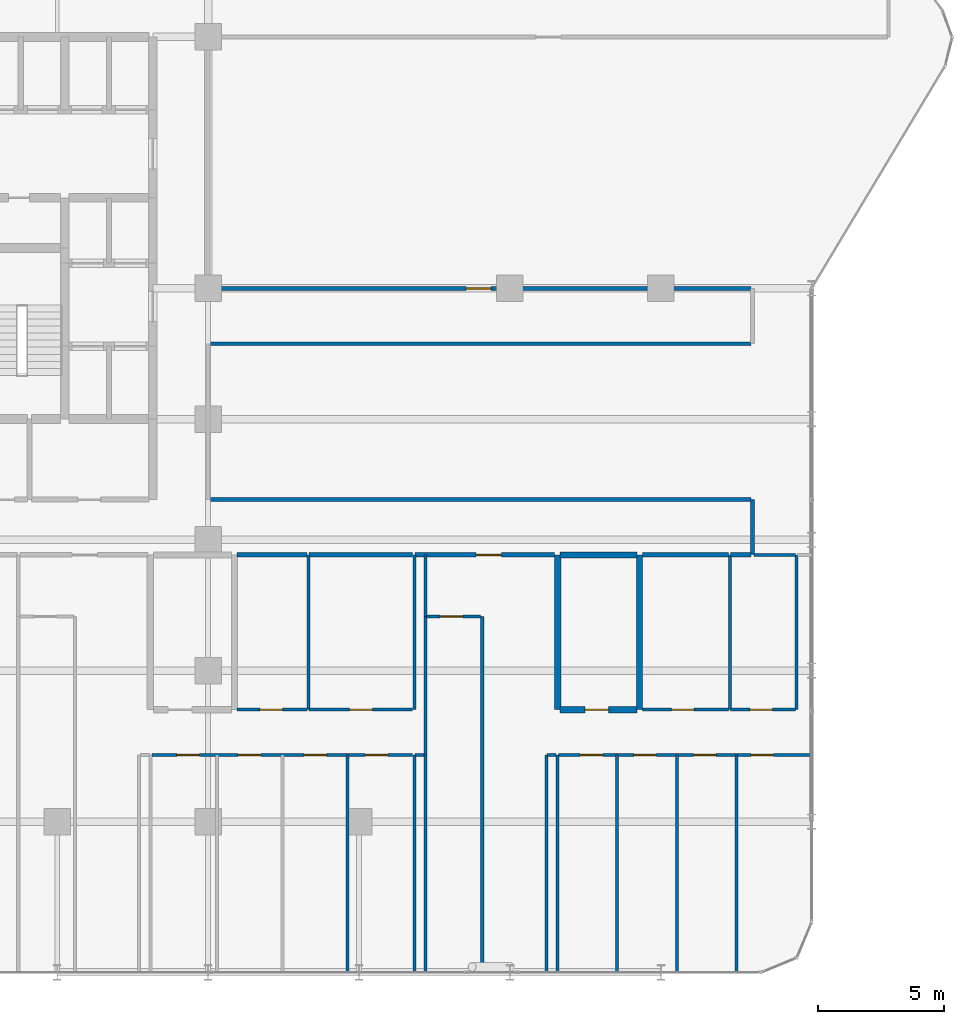
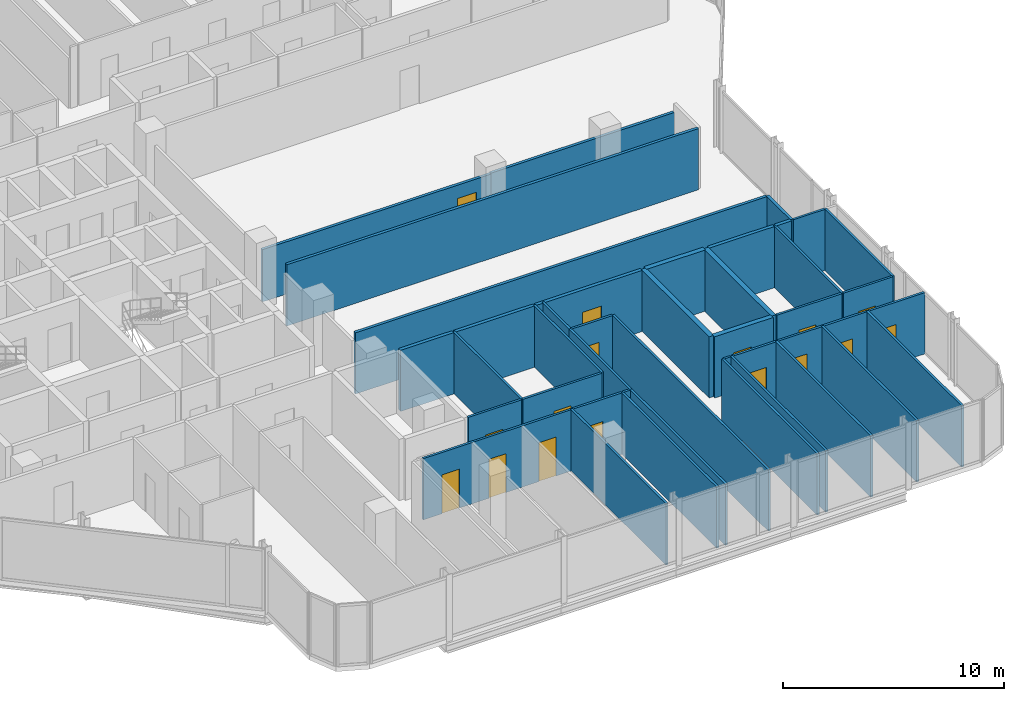
# One storey, part 25 of 29: 39 walls, 16 doors, 16 openings.
"""IFC4 building model written with IfcOpenShell, lengths in metres."""

from ifc_helpers import new_model, si_unit, direction, frame, frame_2d, origin, place, context, subcontext, project, spatial, rectangle, extrude, material, layer, layer_set, type_object, element, fill, save


model = new_model("IFC4")

# Units and contexts
model_context = context("Model", 3, precision=1e-05, world=origin(), true_north=direction((0.0, 1.0)))
body_context = subcontext(model_context, "Body", "Model", "MODEL_VIEW")
ifc_project = project(units=[si_unit("LENGTHUNIT", "METRE"), si_unit("AREAUNIT", "SQUARE_METRE"), si_unit("VOLUMEUNIT", "CUBIC_METRE"), si_unit("PLANEANGLEUNIT", "RADIAN"), si_unit("MASSUNIT", "GRAM", prefix="KILO")], contexts=[model_context])

# Site, building, storey
site_placement = place(None, origin())
site = spatial("IfcSite", under=ifc_project, at=site_placement, CompositionType="ELEMENT")
building_placement = place(site_placement, origin())
building = spatial("IfcBuilding", under=site, at=building_placement, Name="Keshet Zoharim Tower", CompositionType="ELEMENT")
storey_placement = place(building_placement, frame((0.0, 0.0, 98.300048828125)))
storey = spatial("IfcBuildingStorey", under=building, at=storey_placement, Name="L23", CompositionType="ELEMENT", Elevation=98.300048828125)

# Walls
ifc_material_1 = material(Name="Gypsum Plasterboard", Category="gypsum")
ifc_layer_1 = layer(ifc_material_1, 0.14990234375)
ifc_layer_set_1 = layer_set([ifc_layer_1], Name="Gypsum Plasterboard")
wall_type_1 = type_object("IfcWallType", Name="WL-CLIN-150", PredefinedType="STANDARD", material=ifc_layer_set_1)
wall_1_placement = place(storey_placement, frame((54.64990234375, 17.31005859375, 0.0), z_axis=(0.0, 0.0, 1.0), x_axis=(0.0, 1.0, 0.0)))
element("IfcWall", 1, at=wall_1_placement, inside=storey, type_object=wall_type_1, Name="L23 Interior Wall 108", PredefinedType="STANDARD", context=body_context, shape_type="SweptSolid", body=[
    extrude(rectangle(XDim=2.18994140625, YDim=0.14990234375, at=frame_2d((1.094970703125, 0.0))), origin(), (0.0, 0.0, 1.0), 3.385009765625),
])
for number, where, z_axis, x_axis, name in (
    (2, (33.070068359375, 19.5, 0.0), (0.0, 0.0, 1.0), (1.0, 0.0, 0.0), "L23 Interior Wall 146"),
    (3, (33.070068359375, 25.699951171875, 0.0), (0.0, 0.0, 1.0), (1.0, 0.0, 0.0), "L23 Interior Wall 160"),
):
    element("IfcWall", number, at=place(storey_placement, frame(where, z_axis=z_axis, x_axis=x_axis)), inside=storey, type_object=wall_type_1, Name=name, PredefinedType="STANDARD", context=body_context, shape_type="SweptSolid", body=[
        extrude(rectangle(XDim=21.510009765625, YDim=0.14990234375, at=frame_2d((10.7548828125, 0.0))), origin(), (0.0, 0.0, 1.0), 3.385009765625),
    ])

# Wall, opening, door
wall_2_placement = place(storey_placement, frame((33.070068359375, 27.89990234375, 0.0), z_axis=(0.0, 0.0, 1.0), x_axis=(1.0, 0.0, 0.0)))
wall_2 = element("IfcWall", 4, at=wall_2_placement, inside=storey, type_object=wall_type_1, Name="L23 Interior Wall 161", PredefinedType="STANDARD", context=body_context, shape_type="SweptSolid", body=[
    extrude(rectangle(XDim=11.929931640625, YDim=0.14990234375, at=frame_2d((5.96484375, 0.0))), origin(), (0.0, 0.0, 1.0), 2.885009765625),
])
opening_1_placement = place(wall_2_placement, frame((10.18505859375, 0.0, 0.0)))
opening_1 = element("IfcOpeningElement", 5, at=opening_1_placement, cuts=wall_2, Name="Opening D-F310", PredefinedType="OPENING", context=body_context, shape_type="SweptSolid", body=[
    extrude(rectangle(XDim=1.0, YDim=2.14990234375, at=frame_2d((0.5, 1.074951171875))), frame((0.0, 0.0849609375, 0.0), z_axis=(0.0, -1.0, 0.0), x_axis=(1.0, 0.0, 0.0)), (0.0, 0.0, 1.0), 0.169921875),
])
ifc_material_2 = material(Name="Hardwood Timber", Category="wood")
door_type_1 = type_object("IfcDoorType", Name="DR-FD30-100", OperationType="NOTDEFINED", PredefinedType="DOOR", material=ifc_material_2)
door_1_placement = place(opening_1_placement, origin())
door_1 = element("IfcDoor", 6, at=door_1_placement, inside=storey, type_object=door_type_1, Name="L23 North East Residents Services Suite Door 2", OperationType="SINGLE_SWING_RIGHT", OverallHeight=2.14990234375, OverallWidth=1.0, PredefinedType="DOOR", context=body_context, shape_type="SweptSolid", body=[
    extrude(rectangle(XDim=1.0, YDim=2.14990234375, at=frame_2d((0.5, 1.074951171875))), frame((0.0, 0.02490234375, 0.0), z_axis=(0.0, -1.0, 0.0), x_axis=(1.0, 0.0, 0.0)), (0.0, 0.0, 1.0), 0.050048828125),
])
fill(opening_1, door_1)

# Walls
wall_3_placement = place(storey_placement, frame((45.0, 27.89990234375, 0.0), z_axis=(0.0, 0.0, 1.0), x_axis=(1.0, 0.0, 0.0)))
element("IfcWall", 7, at=wall_3_placement, inside=storey, type_object=wall_type_1, Name="L23 Interior Wall 161 Part 2", PredefinedType="STANDARD", context=body_context, shape_type="SweptSolid", body=[
    extrude(rectangle(XDim=9.580078125, YDim=0.14990234375, at=frame_2d((4.7900390625, 0.0))), origin(), (0.0, 0.0, 1.0), 2.93505859375),
])
ifc_layer_2 = layer(ifc_material_1, 0.179931640625)
ifc_layer_set_2 = layer_set([ifc_layer_2], Name="Gypsum Plasterboard")
wall_type_2 = type_object("IfcWallType", Name="WL-CORR-180", PredefinedType="STANDARD", material=ifc_layer_set_2)
wall_4_placement = place(storey_placement, frame((34.156005859375, 17.300048828125, 0.0), z_axis=(0.0, 0.0, 1.0), x_axis=(1.0, 0.0, 0.0)))
element("IfcWall", 8, at=wall_4_placement, inside=storey, type_object=wall_type_2, Name="L23 Interior Wall 134", PredefinedType="STANDARD", context=body_context, shape_type="SweptSolid", body=[
    extrude(rectangle(XDim=2.77392578125, YDim=0.179931640625, at=frame_2d((1.386962890625, 0.0))), origin(), (0.0, 0.0, 1.0), 3.385009765625),
])
wall_5_placement = place(storey_placement, frame((37.02001953125, 17.300048828125, 0.0), z_axis=(0.0, 0.0, 1.0), x_axis=(1.0, 0.0, 0.0)))
element("IfcWall", 9, at=wall_5_placement, inside=storey, type_object=wall_type_2, Name="L23 Interior Wall 135", PredefinedType="STANDARD", context=body_context, shape_type="SweptSolid", body=[
    extrude(rectangle(XDim=4.114990234375, YDim=0.179931640625, at=frame_2d((2.0576171875, 0.0))), origin(), (0.0, 0.0, 1.0), 3.385009765625),
])

# Wall, opening, door
wall_6_placement = place(storey_placement, frame((41.22509765625, 17.300048828125, 0.0), z_axis=(0.0, 0.0, 1.0), x_axis=(1.0, 0.0, 0.0)))
wall_6 = element("IfcWall", 10, at=wall_6_placement, inside=storey, type_object=wall_type_2, Name="L23 Interior Wall 136", PredefinedType="STANDARD", context=body_context, shape_type="SweptSolid", body=[
    extrude(rectangle(XDim=5.544921875, YDim=0.179931640625, at=frame_2d((2.7724609375, 0.0))), origin(), (0.0, 0.0, 1.0), 3.385009765625),
])
opening_2_placement = place(wall_6_placement, frame((2.43505859375, 0.0, 0.0)))
opening_2 = element("IfcOpeningElement", 11, at=opening_2_placement, cuts=wall_6, Name="Opening D-F310", PredefinedType="OPENING", context=body_context, shape_type="SweptSolid", body=[
    extrude(rectangle(XDim=1.0, YDim=2.14990234375, at=frame_2d((0.5, 1.074951171875))), frame((0.0, 0.10009765625, 0.0), z_axis=(0.0, -1.0, 0.0), x_axis=(1.0, 0.0, 0.0)), (0.0, 0.0, 1.0), 0.199951171875),
])
door_2_placement = place(opening_2_placement, origin())
door_2 = element("IfcDoor", 12, at=door_2_placement, inside=storey, type_object=door_type_1, Name="Apartment 2303 Entrance Door", OperationType="SINGLE_SWING_RIGHT", OverallHeight=2.14990234375, OverallWidth=1.0, PredefinedType="DOOR", context=body_context, shape_type="SweptSolid", body=[
    extrude(rectangle(XDim=1.0, YDim=2.14990234375, at=frame_2d((0.5, 1.074951171875))), frame((0.0, 0.02490234375, 0.0), z_axis=(0.0, -1.0, 0.0), x_axis=(1.0, 0.0, 0.0)), (0.0, 0.0, 1.0), 0.050048828125),
])
fill(opening_2, door_2)

# Walls
wall_7_placement = place(storey_placement, frame((50.280029296875, 17.300048828125, 0.0), z_axis=(0.0, 0.0, 1.0), x_axis=(1.0, 0.0, 0.0)))
element("IfcWall", 13, at=wall_7_placement, inside=storey, type_object=wall_type_2, Name="L23 Interior Wall 138", PredefinedType="STANDARD", context=body_context, shape_type="SweptSolid", body=[
    extrude(rectangle(XDim=3.40185546875, YDim=0.179931640625, at=frame_2d((1.700927734375, 0.0))), origin(), (0.0, 0.0, 1.0), 3.385009765625),
])
wall_8_placement = place(storey_placement, frame((53.77197265625, 17.300048828125, 0.0), z_axis=(0.0, 0.0, 1.0), x_axis=(1.0, 0.0, 0.0)))
element("IfcWall", 14, at=wall_8_placement, inside=storey, type_object=wall_type_2, Name="L23 Interior Wall 139", PredefinedType="STANDARD", context=body_context, shape_type="SweptSolid", body=[
    extrude(rectangle(XDim=0.80810546875, YDim=0.179931640625, at=frame_2d((0.404052734375, 0.0))), origin(), (0.0, 0.0, 1.0), 3.385009765625),
])
ifc_material_3 = material(Name="Concrete C50/60", Category="concrete")
ifc_layer_3 = layer(ifc_material_3, 0.25)
ifc_layer_set_3 = layer_set([ifc_layer_3], Name="Concrete C50/60")
wall_type_3 = type_object("IfcWallType", Name="WL-MAMAD-250", PredefinedType="STANDARD", material=ifc_layer_set_3)
for number, where, z_axis, x_axis, name in (
    (15, (46.89990234375, 11.14990234375, 0.0), (0.0, 0.0, 1.0), (0.0, 1.0, 0.0), "L23 Interior Wall 097"),
    (16, (50.14990234375, 11.14990234375, 0.0), (0.0, 0.0, 1.0), (0.0, 1.0, 0.0), "L23 Interior Wall 100"),
):
    element("IfcWall", number, at=place(storey_placement, frame(where, z_axis=z_axis, x_axis=x_axis)), inside=storey, type_object=wall_type_3, Name=name, PredefinedType="STANDARD", context=body_context, shape_type="SweptSolid", body=[
        extrude(rectangle(XDim=6.150146484375, YDim=0.25, at=frame_2d((3.0751953125, 0.0))), origin(), (0.0, 0.0, 1.0), 3.385009765625),
    ])

# Wall, opening, door
wall_9_placement = place(storey_placement, frame((46.989990234375, 11.14990234375, 0.0), z_axis=(0.0, 0.0, 1.0), x_axis=(1.0, 0.0, 0.0)))
wall_9 = element("IfcWall", 17, at=wall_9_placement, inside=storey, type_object=wall_type_3, Name="L23 Interior Wall 121", PredefinedType="STANDARD", context=body_context, shape_type="SweptSolid", body=[
    extrude(rectangle(XDim=3.070068359375, YDim=0.25, at=frame_2d((1.53515625, 0.0))), origin(), (0.0, 0.0, 1.0), 3.385009765625),
])
opening_3_placement = place(wall_9_placement, frame((0.989013671875, 0.0, 0.0)))
opening_3 = element("IfcOpeningElement", 18, at=opening_3_placement, cuts=wall_9, Name="Opening D-F695", PredefinedType="OPENING", context=body_context, shape_type="SweptSolid", body=[
    extrude(rectangle(XDim=0.949951171875, YDim=2.14990234375, at=frame_2d((0.47509765625, 1.074951171875))), frame((0.0, 0.135009765625, 0.0), z_axis=(0.0, -1.0, 0.0), x_axis=(1.0, 0.0, 0.0)), (0.0, 0.0, 1.0), 0.27001953125),
])
door_type_2 = type_object("IfcDoorType", Name="DR-FD60-095", OperationType="NOTDEFINED", PredefinedType="DOOR", material=ifc_material_2)
door_3_placement = place(opening_3_placement, origin())
door_3 = element("IfcDoor", 19, at=door_3_placement, inside=storey, type_object=door_type_2, Name="Apartment 2303 Study and Shelter Room Door", OperationType="SINGLE_SWING_LEFT", OverallHeight=2.14990234375, OverallWidth=0.949951171875, PredefinedType="DOOR", context=body_context, shape_type="SweptSolid", body=[
    extrude(rectangle(XDim=0.949951171875, YDim=2.14990234375, at=frame_2d((0.47509765625, 1.074951171875))), frame((0.0, 0.02490234375, 0.0), z_axis=(0.0, -1.0, 0.0), x_axis=(1.0, 0.0, 0.0)), (0.0, 0.0, 1.0), 0.050048828125),
])
fill(opening_3, door_3)

# Walls
wall_10_placement = place(storey_placement, frame((46.989990234375, 17.300048828125, 0.0), z_axis=(0.0, 0.0, 1.0), x_axis=(1.0, 0.0, 0.0)))
element("IfcWall", 20, at=wall_10_placement, inside=storey, type_object=wall_type_3, Name="L23 Interior Wall 137", PredefinedType="STANDARD", context=body_context, shape_type="SweptSolid", body=[
    extrude(rectangle(XDim=3.070068359375, YDim=0.25, at=frame_2d((1.53515625, 0.0))), origin(), (0.0, 0.0, 1.0), 3.385009765625),
])
ifc_layer_4 = layer(ifc_material_1, 0.1201171875)
ifc_layer_set_4 = layer_set([ifc_layer_4], Name="Gypsum Plasterboard")
wall_type_4 = type_object("IfcWallType", Name="WL-PART-120", PredefinedType="PARTITIONING", material=ifc_layer_set_4)
for number, where, z_axis, x_axis, name in (
    (21, (38.550048828125, 0.7099609375, 0.0), (0.0, 0.0, 1.0), (0.0, 1.0, 0.0), "L23 Interior Wall 080"),
    (22, (41.199951171875, 0.7099609375, 0.0), (0.0, 0.0, 1.0), (0.0, 1.0, 0.0), "L23 Interior Wall 083"),
):
    element("IfcWall", number, at=place(storey_placement, frame(where, z_axis=z_axis, x_axis=x_axis)), inside=storey, type_object=wall_type_4, Name=name, PredefinedType="PARTITIONING", context=body_context, shape_type="SweptSolid", body=[
        extrude(rectangle(XDim=8.64013671875, YDim=0.1201171875, at=frame_2d((4.320068359375, 0.0))), origin(), (0.0, 0.0, 1.0), 3.385009765625),
    ])
wall_11_placement = place(storey_placement, frame((41.199951171875, 11.14990234375, 0.0), z_axis=(0.0, 0.0, 1.0), x_axis=(0.0, 1.0, 0.0)))
element("IfcWall", 23, at=wall_11_placement, inside=storey, type_object=wall_type_4, Name="L23 Interior Wall 084", PredefinedType="PARTITIONING", context=body_context, shape_type="SweptSolid", body=[
    extrude(rectangle(XDim=6.150146484375, YDim=0.1201171875, at=frame_2d((3.0751953125, 0.0))), origin(), (0.0, 0.0, 1.0), 3.385009765625),
])
wall_12_placement = place(storey_placement, frame((41.64990234375, 0.7099609375, 0.0), z_axis=(0.0, 0.0, 1.0), x_axis=(0.0, 1.0, 0.0)))
element("IfcWall", 24, at=wall_12_placement, inside=storey, type_object=wall_type_4, Name="L23 Interior Wall 085", PredefinedType="PARTITIONING", context=body_context, shape_type="SweptSolid", body=[
    extrude(rectangle(XDim=8.64013671875, YDim=0.1201171875, at=frame_2d((4.320068359375, 0.0))), origin(), (0.0, 0.0, 1.0), 3.385009765625),
])
wall_13_placement = place(storey_placement, frame((41.64990234375, 9.35009765625, 0.0), z_axis=(0.0, 0.0, 1.0), x_axis=(0.0, 1.0, 0.0)))
element("IfcWall", 25, at=wall_13_placement, inside=storey, type_object=wall_type_4, Name="L23 Interior Wall 086", PredefinedType="PARTITIONING", context=body_context, shape_type="SweptSolid", body=[
    extrude(rectangle(XDim=5.5, YDim=0.1201171875, at=frame_2d((2.75, 0.0))), origin(), (0.0, 0.0, 1.0), 3.385009765625),
])
wall_14_placement = place(storey_placement, frame((41.64990234375, 14.85009765625, 0.0), z_axis=(0.0, 0.0, 1.0), x_axis=(0.0, 1.0, 0.0)))
element("IfcWall", 26, at=wall_14_placement, inside=storey, type_object=wall_type_4, Name="L23 Interior Wall 087", PredefinedType="PARTITIONING", context=body_context, shape_type="SweptSolid", body=[
    extrude(rectangle(XDim=2.449951171875, YDim=0.1201171875, at=frame_2d((1.22509765625, 0.0))), origin(), (0.0, 0.0, 1.0), 3.385009765625),
])
wall_15_placement = place(storey_placement, frame((43.89990234375, 0.7099609375, 0.0), z_axis=(0.0, 0.0, 1.0), x_axis=(0.0, 1.0, 0.0)))
element("IfcWall", 27, at=wall_15_placement, inside=storey, type_object=wall_type_4, Name="L23 Interior Wall 089", PredefinedType="PARTITIONING", context=body_context, shape_type="SweptSolid", body=[
    extrude(rectangle(XDim=14.14013671875, YDim=0.1201171875, at=frame_2d((7.070068359375, 0.0))), origin(), (0.0, 0.0, 1.0), 3.385009765625),
])
for number, where, z_axis, x_axis, name in (
    (28, (46.449951171875, 0.7099609375, 0.0), (0.0, 0.0, 1.0), (0.0, 1.0, 0.0), "L23 Interior Wall 095"),
    (29, (46.89990234375, 0.7099609375, 0.0), (0.0, 0.0, 1.0), (0.0, 1.0, 0.0), "L23 Interior Wall 096"),
    (30, (49.25, 0.7099609375, 0.0), (0.0, 0.0, 1.0), (0.0, 1.0, 0.0), "L23 Interior Wall 099"),
    (31, (51.64990234375, 0.7099609375, 0.0), (0.0, 0.0, 1.0), (0.0, 1.0, 0.0), "L23 Interior Wall 104"),
    (32, (54.0, 0.7099609375, 0.0), (0.0, 0.0, 1.0), (0.0, 1.0, 0.0), "L23 Interior Wall 106"),
):
    element("IfcWall", number, at=place(storey_placement, frame(where, z_axis=z_axis, x_axis=x_axis)), inside=storey, type_object=wall_type_4, Name=name, PredefinedType="PARTITIONING", context=body_context, shape_type="SweptSolid", body=[
        extrude(rectangle(XDim=8.64013671875, YDim=0.1201171875, at=frame_2d((4.320068359375, 0.0))), origin(), (0.0, 0.0, 1.0), 3.385009765625),
    ])

# Wall, openings, doors
wall_16_placement = place(storey_placement, frame((30.764892578125, 9.35009765625, 0.0), z_axis=(0.0, 0.0, 1.0), x_axis=(1.0, 0.0, 0.0)))
wall_16 = element("IfcWall", 33, at=wall_16_placement, inside=storey, type_object=wall_type_4, Name="L23 Interior Wall 114", PredefinedType="PARTITIONING", context=body_context, shape_type="SweptSolid", body=[
    extrude(rectangle(XDim=10.3701171875, YDim=0.1201171875, at=frame_2d((5.18505859375, 0.0))), origin(), (0.0, 0.0, 1.0), 3.385009765625),
])
opening_4_placement = place(wall_16_placement, frame((0.988037109375, 0.0, 0.0)))
opening_4 = element("IfcOpeningElement", 34, at=opening_4_placement, cuts=wall_16, Name="Opening D-IN90", PredefinedType="OPENING", context=body_context, shape_type="SweptSolid", body=[
    extrude(rectangle(XDim=0.89990234375, YDim=2.14990234375, at=frame_2d((0.449951171875, 1.074951171875))), frame((0.0, 0.070068359375, 0.0), z_axis=(0.0, -1.0, 0.0), x_axis=(1.0, 0.0, 0.0)), (0.0, 0.0, 1.0), 0.14013671875),
])
opening_5_placement = place(wall_16_placement, frame((3.427978515625, 0.0, 0.0)))
opening_5 = element("IfcOpeningElement", 35, at=opening_5_placement, cuts=wall_16, Name="Opening D-IN90", PredefinedType="OPENING", context=body_context, shape_type="SweptSolid", body=[
    extrude(rectangle(XDim=0.89990234375, YDim=2.14990234375, at=frame_2d((0.449951171875, 1.074951171875))), frame((0.0, 0.070068359375, 0.0), z_axis=(0.0, -1.0, 0.0), x_axis=(1.0, 0.0, 0.0)), (0.0, 0.0, 1.0), 0.14013671875),
])
opening_6_placement = place(wall_16_placement, frame((6.04296875, 0.0, 0.0)))
opening_6 = element("IfcOpeningElement", 36, at=opening_6_placement, cuts=wall_16, Name="Opening D-IN90", PredefinedType="OPENING", context=body_context, shape_type="SweptSolid", body=[
    extrude(rectangle(XDim=0.89990234375, YDim=2.14990234375, at=frame_2d((0.449951171875, 1.074951171875))), frame((0.0, 0.070068359375, 0.0), z_axis=(0.0, -1.0, 0.0), x_axis=(1.0, 0.0, 0.0)), (0.0, 0.0, 1.0), 0.14013671875),
])
opening_7_placement = place(wall_16_placement, frame((8.48193359375, 0.0, 0.0)))
opening_7 = element("IfcOpeningElement", 37, at=opening_7_placement, cuts=wall_16, Name="Opening D-IN90", PredefinedType="OPENING", context=body_context, shape_type="SweptSolid", body=[
    extrude(rectangle(XDim=0.89990234375, YDim=2.14990234375, at=frame_2d((0.449951171875, 1.074951171875))), frame((0.0, 0.070068359375, 0.0), z_axis=(0.0, -1.0, 0.0), x_axis=(1.0, 0.0, 0.0)), (0.0, 0.0, 1.0), 0.14013671875),
])
door_type_3 = type_object("IfcDoorType", Name="DR-INT-090", OperationType="NOTDEFINED", PredefinedType="DOOR", material=ifc_material_2)
door_4_placement = place(opening_4_placement, origin())
door_4 = element("IfcDoor", 38, at=door_4_placement, inside=storey, type_object=door_type_3, Name="Apartment 2302 Bedroom 1 Door", OperationType="SINGLE_SWING_RIGHT", OverallHeight=2.14990234375, OverallWidth=0.89990234375, PredefinedType="DOOR", context=body_context, shape_type="SweptSolid", body=[
    extrude(rectangle(XDim=0.89990234375, YDim=2.14990234375, at=frame_2d((0.449951171875, 1.074951171875))), frame((0.0, 0.02490234375, 0.0), z_axis=(0.0, -1.0, 0.0), x_axis=(1.0, 0.0, 0.0)), (0.0, 0.0, 1.0), 0.050048828125),
])
fill(opening_4, door_4)
door_5_placement = place(opening_5_placement, origin())
door_5 = element("IfcDoor", 39, at=door_5_placement, inside=storey, type_object=door_type_3, Name="Apartment 2302 Bedroom 2 Door", OperationType="SINGLE_SWING_LEFT", OverallHeight=2.14990234375, OverallWidth=0.89990234375, PredefinedType="DOOR", context=body_context, shape_type="SweptSolid", body=[
    extrude(rectangle(XDim=0.89990234375, YDim=2.14990234375, at=frame_2d((0.449951171875, 1.074951171875))), frame((0.0, 0.02490234375, 0.0), z_axis=(0.0, -1.0, 0.0), x_axis=(1.0, 0.0, 0.0)), (0.0, 0.0, 1.0), 0.050048828125),
])
fill(opening_5, door_5)
door_6_placement = place(opening_6_placement, origin())
door_6 = element("IfcDoor", 40, at=door_6_placement, inside=storey, type_object=door_type_3, Name="Apartment 2302 Bedroom 3 Door", OperationType="SINGLE_SWING_RIGHT", OverallHeight=2.14990234375, OverallWidth=0.89990234375, PredefinedType="DOOR", context=body_context, shape_type="SweptSolid", body=[
    extrude(rectangle(XDim=0.89990234375, YDim=2.14990234375, at=frame_2d((0.449951171875, 1.074951171875))), frame((0.0, 0.02490234375, 0.0), z_axis=(0.0, -1.0, 0.0), x_axis=(1.0, 0.0, 0.0)), (0.0, 0.0, 1.0), 0.050048828125),
])
fill(opening_6, door_6)
door_7_placement = place(opening_7_placement, origin())
door_7 = element("IfcDoor", 41, at=door_7_placement, inside=storey, type_object=door_type_3, Name="Apartment 2302 Bedroom 4 Door", OperationType="SINGLE_SWING_LEFT", OverallHeight=2.14990234375, OverallWidth=0.89990234375, PredefinedType="DOOR", context=body_context, shape_type="SweptSolid", body=[
    extrude(rectangle(XDim=0.89990234375, YDim=2.14990234375, at=frame_2d((0.449951171875, 1.074951171875))), frame((0.0, 0.02490234375, 0.0), z_axis=(0.0, -1.0, 0.0), x_axis=(1.0, 0.0, 0.0)), (0.0, 0.0, 1.0), 0.050048828125),
])
fill(opening_7, door_7)

# Walls
for number, where, z_axis, x_axis, name in (
    (42, (41.22509765625, 9.35009765625, 0.0), (0.0, 0.0, 1.0), (1.0, 0.0, 0.0), "L23 Interior Wall 115"),
    (43, (46.47509765625, 9.35009765625, 0.0), (0.0, 0.0, 1.0), (1.0, 0.0, 0.0), "L23 Interior Wall 116"),
):
    element("IfcWall", number, at=place(storey_placement, frame(where, z_axis=z_axis, x_axis=x_axis)), inside=storey, type_object=wall_type_4, Name=name, PredefinedType="PARTITIONING", context=body_context, shape_type="SweptSolid", body=[
        extrude(rectangle(XDim=0.35986328125, YDim=0.1201171875, at=frame_2d((0.179931640625, 0.0))), origin(), (0.0, 0.0, 1.0), 3.385009765625),
    ])

# Wall, openings, doors
wall_17_placement = place(storey_placement, frame((46.925048828125, 9.35009765625, 0.0), z_axis=(0.0, 0.0, 1.0), x_axis=(1.0, 0.0, 0.0)))
wall_17 = element("IfcWall", 44, at=wall_17_placement, inside=storey, type_object=wall_type_4, Name="L23 Interior Wall 117", PredefinedType="PARTITIONING", context=body_context, shape_type="SweptSolid", body=[
    extrude(rectangle(XDim=10.06494140625, YDim=0.1201171875, at=frame_2d((5.032470703125, 0.0))), origin(), (0.0, 0.0, 1.0), 3.385009765625),
])
opening_8_placement = place(wall_17_placement, frame((0.868896484375, 0.0, 0.0)))
opening_8 = element("IfcOpeningElement", 45, at=opening_8_placement, cuts=wall_17, Name="Opening D-IN90", PredefinedType="OPENING", context=body_context, shape_type="SweptSolid", body=[
    extrude(rectangle(XDim=0.89990234375, YDim=2.14990234375, at=frame_2d((0.449951171875, 1.074951171875))), frame((0.0, 0.070068359375, 0.0), z_axis=(0.0, -1.0, 0.0), x_axis=(1.0, 0.0, 0.0)), (0.0, 0.0, 1.0), 0.14013671875),
])
opening_9_placement = place(wall_17_placement, frame((3.0009765625, 0.0, 0.0)))
opening_9 = element("IfcOpeningElement", 46, at=opening_9_placement, cuts=wall_17, Name="Opening D-IN90", PredefinedType="OPENING", context=body_context, shape_type="SweptSolid", body=[
    extrude(rectangle(XDim=0.89990234375, YDim=2.14990234375, at=frame_2d((0.449951171875, 1.074951171875))), frame((0.0, 0.070068359375, 0.0), z_axis=(0.0, -1.0, 0.0), x_axis=(1.0, 0.0, 0.0)), (0.0, 0.0, 1.0), 0.14013671875),
])
opening_10_placement = place(wall_17_placement, frame((5.3779296875, 0.0, 0.0)))
opening_10 = element("IfcOpeningElement", 47, at=opening_10_placement, cuts=wall_17, Name="Opening D-IN90", PredefinedType="OPENING", context=body_context, shape_type="SweptSolid", body=[
    extrude(rectangle(XDim=0.89990234375, YDim=2.14990234375, at=frame_2d((0.449951171875, 1.074951171875))), frame((0.0, 0.070068359375, 0.0), z_axis=(0.0, -1.0, 0.0), x_axis=(1.0, 0.0, 0.0)), (0.0, 0.0, 1.0), 0.14013671875),
])
opening_11_placement = place(wall_17_placement, frame((7.65087890625, 0.0, 0.0)))
opening_11 = element("IfcOpeningElement", 48, at=opening_11_placement, cuts=wall_17, Name="Opening D-IN90", PredefinedType="OPENING", context=body_context, shape_type="SweptSolid", body=[
    extrude(rectangle(XDim=0.89990234375, YDim=2.14990234375, at=frame_2d((0.449951171875, 1.074951171875))), frame((0.0, 0.070068359375, 0.0), z_axis=(0.0, -1.0, 0.0), x_axis=(1.0, 0.0, 0.0)), (0.0, 0.0, 1.0), 0.14013671875),
])
door_8_placement = place(opening_8_placement, origin())
door_8 = element("IfcDoor", 49, at=door_8_placement, inside=storey, type_object=door_type_3, Name="Apartment 2303 Bedroom 1 Door", OperationType="SINGLE_SWING_RIGHT", OverallHeight=2.14990234375, OverallWidth=0.89990234375, PredefinedType="DOOR", context=body_context, shape_type="SweptSolid", body=[
    extrude(rectangle(XDim=0.89990234375, YDim=2.14990234375, at=frame_2d((0.449951171875, 1.074951171875))), frame((0.0, 0.02490234375, 0.0), z_axis=(0.0, -1.0, 0.0), x_axis=(1.0, 0.0, 0.0)), (0.0, 0.0, 1.0), 0.050048828125),
])
fill(opening_8, door_8)
door_9_placement = place(opening_9_placement, origin())
door_9 = element("IfcDoor", 50, at=door_9_placement, inside=storey, type_object=door_type_3, Name="Apartment 2303 Bedroom 2 Door", OperationType="SINGLE_SWING_LEFT", OverallHeight=2.14990234375, OverallWidth=0.89990234375, PredefinedType="DOOR", context=body_context, shape_type="SweptSolid", body=[
    extrude(rectangle(XDim=0.89990234375, YDim=2.14990234375, at=frame_2d((0.449951171875, 1.074951171875))), frame((0.0, 0.02490234375, 0.0), z_axis=(0.0, -1.0, 0.0), x_axis=(1.0, 0.0, 0.0)), (0.0, 0.0, 1.0), 0.050048828125),
])
fill(opening_9, door_9)
door_10_placement = place(opening_10_placement, origin())
door_10 = element("IfcDoor", 51, at=door_10_placement, inside=storey, type_object=door_type_3, Name="Apartment 2303 Bedroom 3 Door", OperationType="SINGLE_SWING_RIGHT", OverallHeight=2.14990234375, OverallWidth=0.89990234375, PredefinedType="DOOR", context=body_context, shape_type="SweptSolid", body=[
    extrude(rectangle(XDim=0.89990234375, YDim=2.14990234375, at=frame_2d((0.449951171875, 1.074951171875))), frame((0.0, 0.02490234375, 0.0), z_axis=(0.0, -1.0, 0.0), x_axis=(1.0, 0.0, 0.0)), (0.0, 0.0, 1.0), 0.050048828125),
])
fill(opening_10, door_10)
door_11_placement = place(opening_11_placement, origin())
door_11 = element("IfcDoor", 52, at=door_11_placement, inside=storey, type_object=door_type_3, Name="Apartment 2303 Bedroom 4 Door", OperationType="SINGLE_SWING_LEFT", OverallHeight=2.14990234375, OverallWidth=0.89990234375, PredefinedType="DOOR", context=body_context, shape_type="SweptSolid", body=[
    extrude(rectangle(XDim=0.89990234375, YDim=2.14990234375, at=frame_2d((0.449951171875, 1.074951171875))), frame((0.0, 0.02490234375, 0.0), z_axis=(0.0, -1.0, 0.0), x_axis=(1.0, 0.0, 0.0)), (0.0, 0.0, 1.0), 0.050048828125),
])
fill(opening_11, door_11)

# Wall, opening, door
wall_18_placement = place(storey_placement, frame((37.02001953125, 11.14990234375, 0.0), z_axis=(0.0, 0.0, 1.0), x_axis=(1.0, 0.0, 0.0)))
wall_18 = element("IfcWall", 53, at=wall_18_placement, inside=storey, type_object=wall_type_4, Name="L23 Interior Wall 120", PredefinedType="PARTITIONING", context=body_context, shape_type="SweptSolid", body=[
    extrude(rectangle(XDim=4.114990234375, YDim=0.1201171875, at=frame_2d((2.0576171875, 0.0))), origin(), (0.0, 0.0, 1.0), 3.385009765625),
])
opening_12_placement = place(wall_18_placement, frame((1.60791015625, 0.0, 0.0)))
opening_12 = element("IfcOpeningElement", 54, at=opening_12_placement, cuts=wall_18, Name="Opening D-IN90", PredefinedType="OPENING", context=body_context, shape_type="SweptSolid", body=[
    extrude(rectangle(XDim=0.89990234375, YDim=2.14990234375, at=frame_2d((0.449951171875, 1.074951171875))), frame((0.0, 0.070068359375, 0.0), z_axis=(0.0, -1.0, 0.0), x_axis=(1.0, 0.0, 0.0)), (0.0, 0.0, 1.0), 0.14013671875),
])
door_12_placement = place(opening_12_placement, origin())
door_12 = element("IfcDoor", 55, at=door_12_placement, inside=storey, type_object=door_type_3, Name="Apartment 2302 Kitchen Door", OperationType="SINGLE_SWING_RIGHT", OverallHeight=2.14990234375, OverallWidth=0.89990234375, PredefinedType="DOOR", context=body_context, shape_type="SweptSolid", body=[
    extrude(rectangle(XDim=0.89990234375, YDim=2.14990234375, at=frame_2d((0.449951171875, 1.074951171875))), frame((0.0, 0.02490234375, 0.0), z_axis=(0.0, -1.0, 0.0), x_axis=(1.0, 0.0, 0.0)), (0.0, 0.0, 1.0), 0.050048828125),
])
fill(opening_12, door_12)

wall_19_placement = place(storey_placement, frame((50.280029296875, 11.14990234375, 0.0), z_axis=(0.0, 0.0, 1.0), x_axis=(1.0, 0.0, 0.0)))
wall_19 = element("IfcWall", 56, at=wall_19_placement, inside=storey, type_object=wall_type_4, Name="L23 Interior Wall 122", PredefinedType="PARTITIONING", context=body_context, shape_type="SweptSolid", body=[
    extrude(rectangle(XDim=3.40185546875, YDim=0.1201171875, at=frame_2d((1.700927734375, 0.0))), origin(), (0.0, 0.0, 1.0), 3.385009765625),
])
opening_13_placement = place(wall_19_placement, frame((1.14697265625, 0.0, 0.0)))
opening_13 = element("IfcOpeningElement", 57, at=opening_13_placement, cuts=wall_19, Name="Opening D-IN90", PredefinedType="OPENING", context=body_context, shape_type="SweptSolid", body=[
    extrude(rectangle(XDim=0.89990234375, YDim=2.14990234375, at=frame_2d((0.449951171875, 1.074951171875))), frame((0.0, 0.070068359375, 0.0), z_axis=(0.0, -1.0, 0.0), x_axis=(1.0, 0.0, 0.0)), (0.0, 0.0, 1.0), 0.14013671875),
])
door_13_placement = place(opening_13_placement, origin())
door_13 = element("IfcDoor", 58, at=door_13_placement, inside=storey, type_object=door_type_3, Name="Apartment 2303 Kitchen Door", OperationType="SINGLE_SWING_RIGHT", OverallHeight=2.14990234375, OverallWidth=0.89990234375, PredefinedType="DOOR", context=body_context, shape_type="SweptSolid", body=[
    extrude(rectangle(XDim=0.89990234375, YDim=2.14990234375, at=frame_2d((0.449951171875, 1.074951171875))), frame((0.0, 0.02490234375, 0.0), z_axis=(0.0, -1.0, 0.0), x_axis=(1.0, 0.0, 0.0)), (0.0, 0.0, 1.0), 0.050048828125),
])
fill(opening_13, door_13)

wall_20_placement = place(storey_placement, frame((41.675048828125, 14.85009765625, 0.0), z_axis=(0.0, 0.0, 1.0), x_axis=(1.0, 0.0, 0.0)))
wall_20 = element("IfcWall", 59, at=wall_20_placement, inside=storey, type_object=wall_type_4, Name="L23 Interior Wall 127", PredefinedType="PARTITIONING", context=body_context, shape_type="SweptSolid", body=[
    extrude(rectangle(XDim=2.159912109375, YDim=0.1201171875, at=frame_2d((1.080078125, 0.0))), origin(), (0.0, 0.0, 1.0), 3.385009765625),
])
opening_14_placement = place(wall_20_placement, frame((0.552978515625, 0.0, 0.0)))
opening_14 = element("IfcOpeningElement", 60, at=opening_14_placement, cuts=wall_20, Name="Opening D-IN90", PredefinedType="OPENING", context=body_context, shape_type="SweptSolid", body=[
    extrude(rectangle(XDim=0.89990234375, YDim=2.14990234375, at=frame_2d((0.449951171875, 1.074951171875))), frame((0.0, 0.070068359375, 0.0), z_axis=(0.0, -1.0, 0.0), x_axis=(1.0, 0.0, 0.0)), (0.0, 0.0, 1.0), 0.14013671875),
])
door_14_placement = place(opening_14_placement, origin())
door_14 = element("IfcDoor", 61, at=door_14_placement, inside=storey, type_object=door_type_3, Name="Apartment 2303 Formal Dining Room Door", OperationType="SINGLE_SWING_LEFT", OverallHeight=2.14990234375, OverallWidth=0.89990234375, PredefinedType="DOOR", context=body_context, shape_type="SweptSolid", body=[
    extrude(rectangle(XDim=0.89990234375, YDim=2.14990234375, at=frame_2d((0.449951171875, 1.074951171875))), frame((0.0, 0.02490234375, 0.0), z_axis=(0.0, -1.0, 0.0), x_axis=(1.0, 0.0, 0.0)), (0.0, 0.0, 1.0), 0.050048828125),
])
fill(opening_14, door_14)

# Walls
ifc_layer_5 = layer(ifc_material_1, 0.1201171875)
ifc_layer_set_5 = layer_set([ifc_layer_5], Name="Gypsum Plasterboard")
wall_type_5 = type_object("IfcWallType", Name="WL-WET-120", PredefinedType="PARTITIONING", material=ifc_layer_set_5)
for number, where, z_axis, x_axis, name in (
    (62, (37.0, 11.14990234375, 0.0), (0.0, 0.0, 1.0), (0.0, 1.0, 0.0), "L23 Interior Wall 078"),
    (63, (53.75, 11.14990234375, 0.0), (0.0, 0.0, 1.0), (0.0, 1.0, 0.0), "L23 Interior Wall 105"),
    (64, (56.39990234375, 11.14990234375, 0.0), (0.0, 0.0, 1.0), (0.0, 1.0, 0.0), "L23 Interior Wall 110"),
):
    element("IfcWall", number, at=place(storey_placement, frame(where, z_axis=z_axis, x_axis=x_axis)), inside=storey, type_object=wall_type_5, Name=name, PredefinedType="PARTITIONING", context=body_context, shape_type="SweptSolid", body=[
        extrude(rectangle(XDim=6.150146484375, YDim=0.1201171875, at=frame_2d((3.0751953125, 0.0))), origin(), (0.0, 0.0, 1.0), 3.385009765625),
    ])

# Wall, opening, door
wall_21_placement = place(storey_placement, frame((34.156005859375, 11.14990234375, 0.0), z_axis=(0.0, 0.0, 1.0), x_axis=(1.0, 0.0, 0.0)))
wall_21 = element("IfcWall", 65, at=wall_21_placement, inside=storey, type_object=wall_type_5, Name="L23 Interior Wall 119", PredefinedType="PARTITIONING", context=body_context, shape_type="SweptSolid", body=[
    extrude(rectangle(XDim=2.77392578125, YDim=0.1201171875, at=frame_2d((1.386962890625, 0.0))), origin(), (0.0, 0.0, 1.0), 3.385009765625),
])
opening_15_placement = place(wall_21_placement, frame((0.905029296875, 0.0, 0.0)))
opening_15 = element("IfcOpeningElement", 66, at=opening_15_placement, cuts=wall_21, Name="Opening D-WT90", PredefinedType="OPENING", context=body_context, shape_type="SweptSolid", body=[
    extrude(rectangle(XDim=0.89990234375, YDim=2.10009765625, at=frame_2d((0.449951171875, 1.050048828125))), frame((0.0, 0.070068359375, 0.0), z_axis=(0.0, -1.0, 0.0), x_axis=(1.0, 0.0, 0.0)), (0.0, 0.0, 1.0), 0.14013671875),
])
door_type_4 = type_object("IfcDoorType", Name="DR-WET-090", OperationType="NOTDEFINED", PredefinedType="DOOR", material=ifc_material_2)
door_15_placement = place(opening_15_placement, origin())
door_15 = element("IfcDoor", 67, at=door_15_placement, inside=storey, type_object=door_type_4, Name="Apartment 2302 Bathroom Door", OperationType="SINGLE_SWING_LEFT", OverallHeight=2.10009765625, OverallWidth=0.89990234375, PredefinedType="DOOR", context=body_context, shape_type="SweptSolid", body=[
    extrude(rectangle(XDim=0.89990234375, YDim=2.10009765625, at=frame_2d((0.449951171875, 1.050048828125))), frame((0.0, 0.02490234375, 0.0), z_axis=(0.0, -1.0, 0.0), x_axis=(1.0, 0.0, 0.0)), (0.0, 0.0, 1.0), 0.050048828125),
])
fill(opening_15, door_15)

wall_22_placement = place(storey_placement, frame((53.77197265625, 11.14990234375, 0.0), z_axis=(0.0, 0.0, 1.0), x_axis=(1.0, 0.0, 0.0)))
wall_22 = element("IfcWall", 68, at=wall_22_placement, inside=storey, type_object=wall_type_5, Name="L23 Interior Wall 123", PredefinedType="PARTITIONING", context=body_context, shape_type="SweptSolid", body=[
    extrude(rectangle(XDim=2.572998046875, YDim=0.1201171875, at=frame_2d((1.28662109375, 0.0))), origin(), (0.0, 0.0, 1.0), 3.385009765625),
])
opening_16_placement = place(wall_22_placement, frame((0.76611328125, 0.0, 0.0)))
opening_16 = element("IfcOpeningElement", 69, at=opening_16_placement, cuts=wall_22, Name="Opening D-WT90", PredefinedType="OPENING", context=body_context, shape_type="SweptSolid", body=[
    extrude(rectangle(XDim=0.89990234375, YDim=2.10009765625, at=frame_2d((0.449951171875, 1.050048828125))), frame((0.0, 0.070068359375, 0.0), z_axis=(0.0, -1.0, 0.0), x_axis=(1.0, 0.0, 0.0)), (0.0, 0.0, 1.0), 0.14013671875),
])
door_16_placement = place(opening_16_placement, origin())
door_16 = element("IfcDoor", 70, at=door_16_placement, inside=storey, type_object=door_type_4, Name="Apartment 2303 Bathroom Door", OperationType="SINGLE_SWING_LEFT", OverallHeight=2.10009765625, OverallWidth=0.89990234375, PredefinedType="DOOR", context=body_context, shape_type="SweptSolid", body=[
    extrude(rectangle(XDim=0.89990234375, YDim=2.10009765625, at=frame_2d((0.449951171875, 1.050048828125))), frame((0.0, 0.02490234375, 0.0), z_axis=(0.0, -1.0, 0.0), x_axis=(1.0, 0.0, 0.0)), (0.0, 0.0, 1.0), 0.050048828125),
])
fill(opening_16, door_16)

# Wall
wall_23_placement = place(storey_placement, frame((54.7099609375, 17.300048828125, 0.0), z_axis=(0.0, 0.0, 1.0), x_axis=(1.0, 0.0, 0.0)))
element("IfcWall", 71, at=wall_23_placement, inside=storey, type_object=wall_type_5, Name="L23 Interior Wall 140", PredefinedType="PARTITIONING", context=body_context, shape_type="SweptSolid", body=[
    extrude(rectangle(XDim=1.635009765625, YDim=0.1201171875, at=frame_2d((0.8173828125, 0.0))), origin(), (0.0, 0.0, 1.0), 3.385009765625),
])

save(model, "model.ifc")
